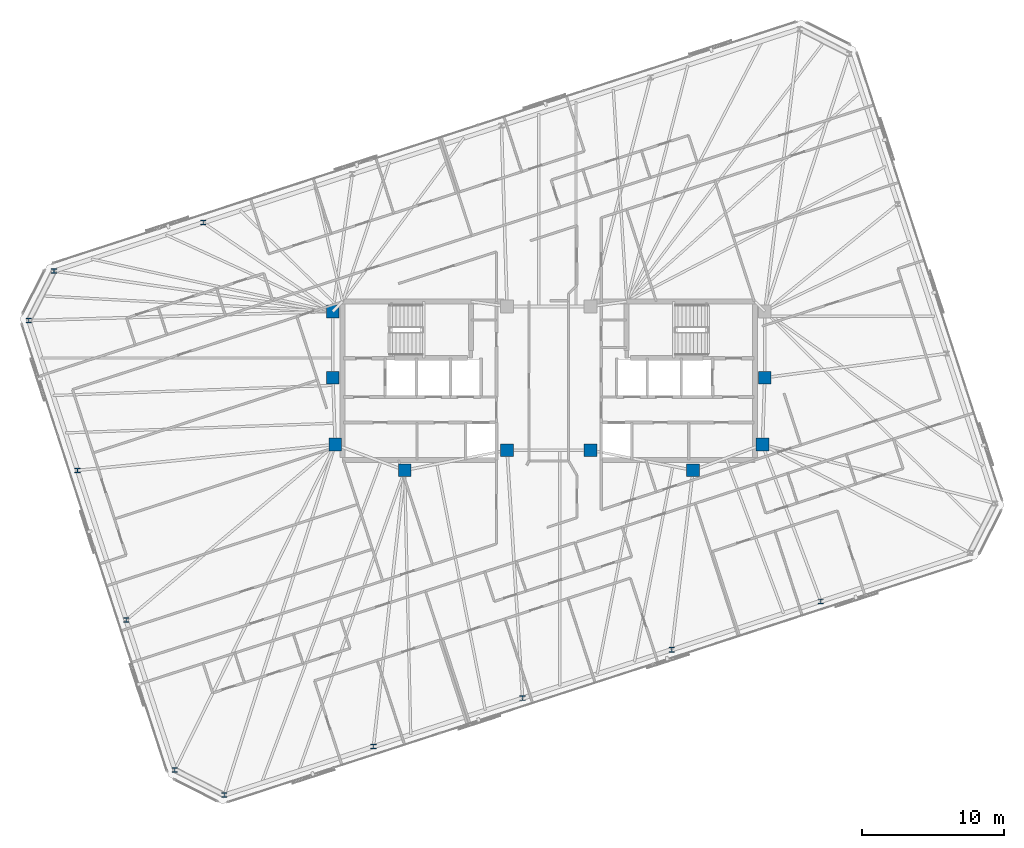
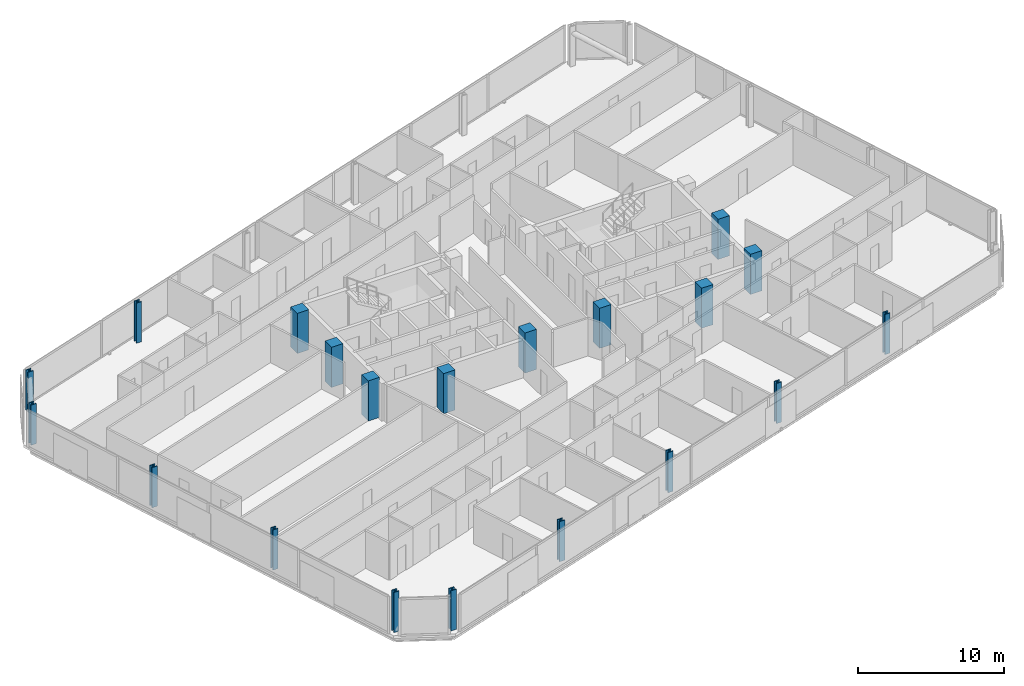
# One storey, part 1 of 20: 20 columns.
"""IFC4 building model written with IfcOpenShell, lengths in metres."""

from ifc_helpers import new_model, si_unit, direction, frame, origin, origin_2d, place, context, subcontext, project, spatial, rectangle, i_section, extrude, material, material_profile, profile_set, type_object, element, save


model = new_model("IFC4")

# Units and contexts
model_context = context("Model", 3, precision=1e-05, world=origin(), true_north=direction((0.0, 1.0)))
body_context = subcontext(model_context, "Body", "Model", "MODEL_VIEW")
ifc_project = project(units=[si_unit("LENGTHUNIT", "METRE"), si_unit("AREAUNIT", "SQUARE_METRE"), si_unit("VOLUMEUNIT", "CUBIC_METRE"), si_unit("PLANEANGLEUNIT", "RADIAN"), si_unit("MASSUNIT", "GRAM", prefix="KILO")], contexts=[model_context])

# Site, building, storey
site_placement = place(None, origin())
site = spatial("IfcSite", under=ifc_project, at=site_placement, CompositionType="ELEMENT")
building_placement = place(site_placement, origin())
building = spatial("IfcBuilding", under=site, at=building_placement, Name="Menara Jurai Vektor", CompositionType="ELEMENT")
storey_placement = place(building_placement, frame((0.0, 0.0, 227.64990234375)))
storey = spatial("IfcBuildingStorey", under=building, at=storey_placement, Name="L60", CompositionType="ELEMENT", Elevation=227.64990234375)

# Columns
ifc_material_1 = material(Name="Concrete C50/60", Category="concrete")
ifc_material_profile_1 = material_profile(ifc_material_1, rectangle(XDim=0.89990234375, YDim=0.89990234375, at=origin_2d()), Name="RC 900x900")
ifc_profile_set_1 = profile_set([ifc_material_profile_1], Name="Concrete C50/60")
column_type_1 = type_object("IfcColumnType", Name="STR-COL-RC900", PredefinedType="COLUMN", material=ifc_profile_set_1)
for number, where, z_axis, x_axis, name in (
    (1, (-15.25, 4.89990234375, 0.0), (0.0, 0.0, 1.0), (1.0, 0.0, 0.0), "Core Spine Column CW-NW L60"),
    (2, (-15.25, 0.219970703125, 0.0), (0.0, 0.0, 1.0), (1.0, 0.0, 0.0), "Core Spine Column CW-WM L60"),
    (3, (-15.080078125, -4.5, 0.0), (0.0, 0.0, 1.0), (1.0, 0.0, 0.0), "Core Spine Column CW-SW L60"),
    (4, (-10.179931640625, -6.320068359375, 0.0), (0.0, 0.0, 1.0), (1.0, 0.0, 0.0), "Core Spine Column CW-SM L60"),
    (5, (-2.949951171875, -4.89990234375, 0.0), (0.0, 0.0, 1.0), (1.0, 0.0, 0.0), "Core Spine Column CW-SE L60"),
    (6, (15.25, 0.219970703125, 0.0), (0.0, 0.0, 1.0), (1.0, 0.0, 0.0), "Core Spine Column CE-EM L60"),
    (7, (15.080078125, -4.5, 0.0), (0.0, 0.0, 1.0), (1.0, 0.0, 0.0), "Core Spine Column CE-SE L60"),
    (8, (10.179931640625, -6.320068359375, 0.0), (0.0, 0.0, 1.0), (1.0, 0.0, 0.0), "Core Spine Column CE-SM L60"),
    (9, (2.949951171875, -4.89990234375, 0.0), (0.0, 0.0, 1.0), (1.0, 0.0, 0.0), "Core Spine Column CE-SW L60"),
):
    element("IfcColumn", number, at=place(storey_placement, frame(where, z_axis=z_axis, x_axis=x_axis)), inside=storey, type_object=column_type_1, Name=name, PredefinedType="COLUMN", context=body_context, shape_type="SweptSolid", body=[
        extrude(rectangle(XDim=0.89990234375, YDim=0.89990234375, at=origin_2d()), origin(), (0.0, 0.0, 1.0), 3.35009765625),
    ])
ifc_material_2 = material(Name="Steel S460", Category="steel")
ifc_material_profile_2 = material_profile(ifc_material_2, i_section(OverallWidth=0.405029296875, OverallDepth=0.35498046875, WebThickness=0.0419921875, FlangeThickness=0.068115234375, FilletRadius=0.014892578125, at=origin_2d()), Name="HD 400x551")
ifc_profile_set_2 = profile_set([ifc_material_profile_2], Name="Steel S460")
column_type_2 = type_object("IfcColumnType", Name="STR-EXO-BLK4", PredefinedType="COLUMN", material=ifc_profile_set_2)
for number, where, z_axis, x_axis, name in (
    (10, (-22.912841796875, -29.2509765625, 0.0), (0.0, 0.0, 1.0), (1.0, 0.0, 0.0), "Exoskeleton Column BLK4-S1 L60"),
    (11, (-12.383544921875, -25.829833984375, 0.0), (0.0, 0.0, 1.0), (1.0, 0.0, 0.0), "Exoskeleton Column BLK4-S2 L60"),
    (12, (-1.854248046875, -22.40869140625, 0.0), (0.0, 0.0, 1.0), (1.0, 0.0, 0.0), "Exoskeleton Column BLK4-S3 L60"),
    (13, (8.675048828125, -18.987548828125, 0.0), (0.0, 0.0, 1.0), (1.0, 0.0, 0.0), "Exoskeleton Column BLK4-S4 L60"),
    (14, (19.204345703125, -15.56640625, 0.0), (0.0, 0.0, 1.0), (1.0, 0.0, 0.0), "Exoskeleton Column BLK4-S5 L60"),
    (15, (-24.404296875, 11.166259765625, 0.0), (0.0, 0.0, 1.0), (1.0, 0.0, 0.0), "Exoskeleton Column BLK4-N5 L60"),
    (16, (-34.93359375, 7.7451171875, 0.0), (0.0, 0.0, 1.0), (1.0, 0.0, 0.0), "Exoskeleton Column BLK4-N6 L60"),
    (17, (-36.71337890625, 4.251953125, 0.0), (0.0, 0.0, 1.0), (1.0, 0.0, 0.0), "Exoskeleton Column BLK4-W1 L60"),
    (18, (-33.277587890625, -6.322265625, 0.0), (0.0, 0.0, 1.0), (1.0, 0.0, 0.0), "Exoskeleton Column BLK4-W2 L60"),
    (19, (-29.841796875, -16.896728515625, 0.0), (0.0, 0.0, 1.0), (1.0, 0.0, 0.0), "Exoskeleton Column BLK4-W3 L60"),
    (20, (-26.406005859375, -27.47119140625, 0.0), (0.0, 0.0, 1.0), (1.0, 0.0, 0.0), "Exoskeleton Column BLK4-W4 L60"),
):
    element("IfcColumn", number, at=place(storey_placement, frame(where, z_axis=z_axis, x_axis=x_axis)), inside=storey, type_object=column_type_2, Name=name, PredefinedType="COLUMN", context=body_context, shape_type="SweptSolid", body=[
        extrude(i_section(OverallWidth=0.405029296875, OverallDepth=0.35498046875, WebThickness=0.0419921875, FlangeThickness=0.068115234375, FilletRadius=0.014892578125, at=origin_2d()), origin(), (0.0, 0.0, 1.0), 3.35009765625),
    ])

save(model, "model.ifc")
